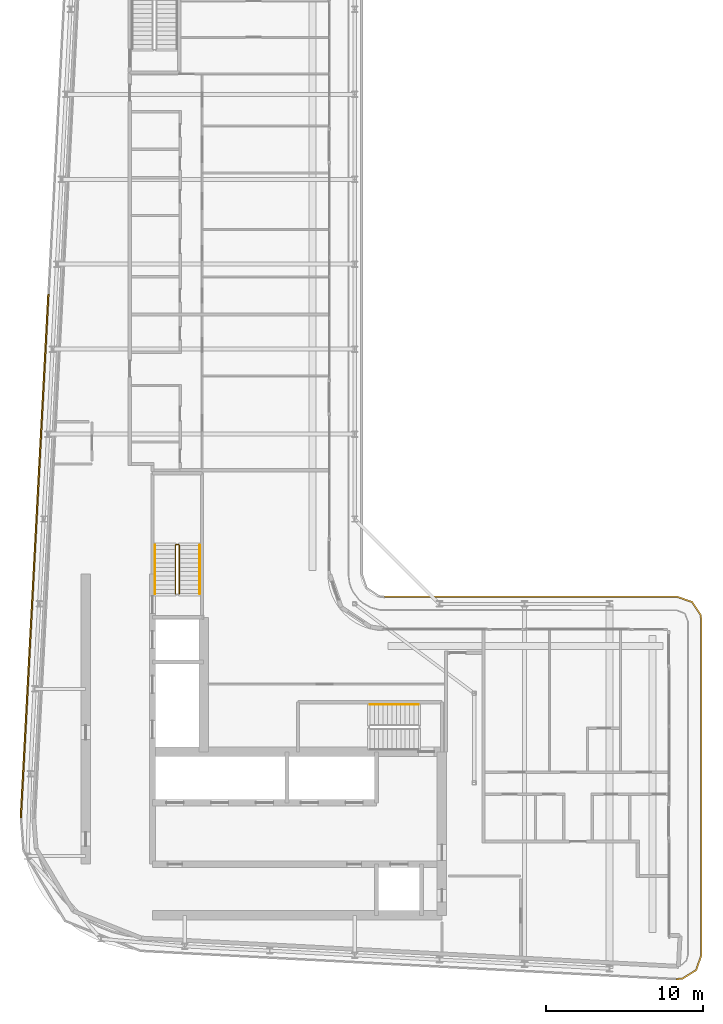
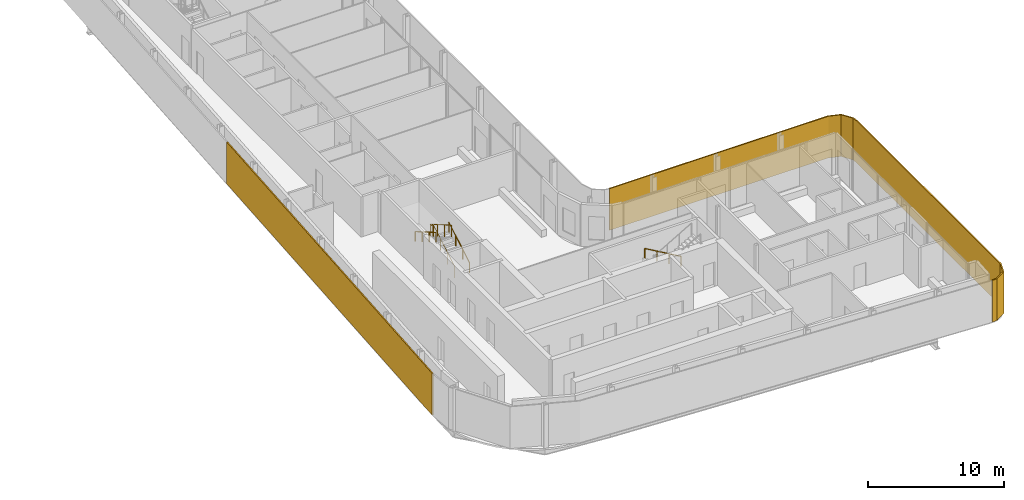
# One storey, part 18 of 21: 4 railings, 2 shading devices.
"""IFC4 building model written with IfcOpenShell, lengths in metres."""

from ifc_helpers import new_model, si_unit, direction, frame, origin, origin_2d, place, context, subcontext, project, spatial, polyline, rectangle, circle, outline, extrude, material, layer, layer_set, type_object, element, save


model = new_model("IFC4")

# Units and contexts
model_context = context("Model", 3, precision=1e-05, world=origin(), true_north=direction((0.0, 1.0)))
body_context = subcontext(model_context, "Body", "Model", "MODEL_VIEW")
ifc_project = project(units=[si_unit("LENGTHUNIT", "METRE"), si_unit("AREAUNIT", "SQUARE_METRE"), si_unit("VOLUMEUNIT", "CUBIC_METRE"), si_unit("PLANEANGLEUNIT", "RADIAN"), si_unit("MASSUNIT", "GRAM", prefix="KILO")], contexts=[model_context])

# Site, building, storey
site_placement = place(None, origin())
site = spatial("IfcSite", under=ifc_project, at=site_placement, CompositionType="ELEMENT")
building_placement = place(site_placement, origin())
building = spatial("IfcBuilding", under=site, at=building_placement, Name="Kheshtan School and Residences Tower", CompositionType="ELEMENT")
storey_placement = place(building_placement, frame((0.0, 0.0, 290.300048828125)))
storey = spatial("IfcBuildingStorey", under=building, at=storey_placement, Name="L68", CompositionType="ELEMENT", Elevation=290.300048828125)

# Shading devices
ifc_material_1 = material(Name="Terracotta baguette, extruded ceramic", Category="masonry")
ifc_layer_1 = layer(ifc_material_1, 0.10009765625)
ifc_layer_set_1 = layer_set([ifc_layer_1], Name="Ledge screen, terracotta baguettes")
shading_device_type_1 = type_object("IfcShadingDeviceType", Name="Ledge screen, terracotta baguettes", PredefinedType="USERDEFINED", material=ifc_layer_set_1)
shading_device_1_placement = place(storey_placement, frame((27.24609375, 48.638916015625, 0.0), z_axis=(0.0, 0.0, 1.0), x_axis=(0.052562536748, 0.998617634398, 0.0)))
element("IfcShadingDevice", 1, at=shading_device_1_placement, inside=storey, type_object=shading_device_type_1, Name="Screen L68 4", ObjectType="BAGUETTE", PredefinedType="USERDEFINED", context=body_context, shape_type="SweptSolid", body=[
    extrude(rectangle(XDim=33.341064453125, YDim=0.10009765625, at=origin_2d()), origin(), (0.0, 0.0, 1.0), 3.75),
])
ifc_material_2 = material(Name="Terracotta lattice, extruded ceramic", Category="masonry")
ifc_layer_2 = layer(ifc_material_2, 0.10009765625)
ifc_layer_set_2 = layer_set([ifc_layer_2], Name="Loggia screen, terracotta lattice")
shading_device_type_2 = type_object("IfcShadingDeviceType", Name="Loggia screen, terracotta lattice", PredefinedType="USERDEFINED", material=ifc_layer_set_2)
shading_device_2_placement = place(storey_placement, origin())
element("IfcShadingDevice", 2, at=shading_device_2_placement, inside=storey, type_object=shading_device_type_2, Name="Screen L68 2", ObjectType="SCREEN", PredefinedType="USERDEFINED", context=body_context, shape_type="SweptSolid", body=[
    extrude(outline(polyline([(49.5, 46.0), (68.10009765625, 46.0), (69.012939453125, 45.68994140625), (69.549072265625, 44.887939453125), (69.60009765625, 44.5), (69.60009765625, 23.285888671875), (69.27001953125, 22.346923828125), (68.424072265625, 21.822021484375), (68.02099609375, 21.7880859375), (68.029052734375, 21.68798828125), (68.4560546875, 21.72412109375), (69.35302734375, 22.281005859375), (69.699951171875, 23.26904296875), (69.699951171875, 44.507080078125), (69.64501953125, 44.924072265625), (69.076904296875, 45.77392578125), (68.116943359375, 46.10009765625), (49.5, 46.10009765625), (49.5, 46.0)])), origin(), (0.0, 0.0, 1.0), 3.75),
])

# Railings
ifc_material_3 = material(Name="Stainless steel balustrade", Category="steel")
railing_type_1 = type_object("IfcRailingType", Name="Stair guard 1100", PredefinedType="GUARDRAIL", material=ifc_material_3)
railing_1_placement = place(storey_placement, frame((36.449951171875, 46.25, 0.162353515625)))
element("IfcRailing", 3, at=railing_1_placement, inside=storey, type_object=railing_type_1, Name="L68 ST2 stair guard 1", PredefinedType="GUARDRAIL", context=body_context, shape_type="SweptSolid", body=[
    extrude(circle(Radius=0.02392578125, at=origin_2d()), frame((0.0, 0.0, 1.076171875), z_axis=(0.0, 0.864890721111, 0.501960198159), x_axis=(-1.0, 0.0, 0.0)), (0.0, 0.0, 1.0), 3.561279296875),
    extrude(circle(Radius=0.02392578125, at=origin_2d()), frame((0.0, 3.080078125, 2.86376953125), z_axis=(-0.708833529934, 0.705375805398, 0.0), x_axis=(-0.705375805398, -0.708833529934, 0.0)), (0.0, 0.0, 1.0), 0.070556640625),
    extrude(circle(Radius=0.02392578125, at=origin_2d()), frame((-0.050048828125, 3.1298828125, 2.86376953125), z_axis=(-1.0, 0.0, 0.0), x_axis=(0.0, -1.0, 0.0)), (0.0, 0.0, 1.0), 0.14990234375),
    extrude(circle(Radius=0.02392578125, at=origin_2d()), frame((-0.199951171875, 3.1298828125, 2.86376953125), z_axis=(-0.282336740067, -0.280959487676, 0.917250092119), x_axis=(0.705375805398, -0.708833529934, 0.0)), (0.0, 0.0, 1.0), 0.17724609375),
    extrude(circle(Radius=0.02392578125, at=origin_2d()), frame((-0.25, 3.080078125, 3.0263671875), z_axis=(0.0, -0.864920483161, 0.501908913857), x_axis=(1.0, 0.0, 0.0)), (0.0, 0.0, 1.0), 3.56103515625),
    extrude(circle(Radius=0.02099609375, at=origin_2d()), origin(), (0.0, 0.0, 1.0), 1.052001953125),
    extrude(circle(Radius=0.02099609375, at=origin_2d()), frame((0.0, 1.026611328125, 0.595947265625)), (0.0, 0.0, 1.0), 1.052001953125),
    extrude(circle(Radius=0.02099609375, at=origin_2d()), frame((0.0, 2.053466796875, 1.191650390625)), (0.0, 0.0, 1.0), 1.052001953125),
    extrude(circle(Radius=0.02099609375, at=origin_2d()), frame((0.0, 3.080078125, 1.78759765625)), (0.0, 0.0, 1.0), 1.052001953125),
    extrude(circle(Radius=0.02099609375, at=origin_2d()), frame((-0.050048828125, 3.1298828125, 1.78759765625)), (0.0, 0.0, 1.0), 1.052001953125),
    extrude(circle(Radius=0.02099609375, at=origin_2d()), frame((-0.199951171875, 3.1298828125, 1.78759765625)), (0.0, 0.0, 1.0), 1.052001953125),
    extrude(circle(Radius=0.02099609375, at=origin_2d()), frame((-0.25, 3.080078125, 1.9501953125)), (0.0, 0.0, 1.0), 1.052001953125),
    extrude(circle(Radius=0.02099609375, at=origin_2d()), frame((-0.25, 2.053466796875, 2.5458984375)), (0.0, 0.0, 1.0), 1.052001953125),
    extrude(circle(Radius=0.02099609375, at=origin_2d()), frame((-0.25, 1.026611328125, 3.141845703125)), (0.0, 0.0, 1.0), 1.052001953125),
    extrude(circle(Radius=0.02099609375, at=origin_2d()), frame((-0.25, 0.0, 3.737548828125)), (0.0, 0.0, 1.0), 1.052001953125),
])
ifc_material_4 = material(Name="Stainless steel handrail", Category="steel")
railing_type_2 = type_object("IfcRailingType", Name="Stair handrail 900", PredefinedType="HANDRAIL", material=ifc_material_4)
railing_2_placement = place(storey_placement, frame((51.64990234375, 39.199951171875, 0.162353515625)))
element("IfcRailing", 4, at=railing_2_placement, inside=storey, type_object=railing_type_2, Name="L68 ST1 stair handrail 1", PredefinedType="HANDRAIL", context=body_context, shape_type="SweptSolid", body=[
    extrude(circle(Radius=0.02392578125, at=origin_2d()), frame((0.0, 0.0, 0.8759765625), z_axis=(-0.864873446163, 0.0, 0.501989962173), x_axis=(0.0, -1.0, 0.0)), (0.0, 0.0, 1.0), 3.56103515625),
    extrude(circle(Radius=0.02099609375, at=origin_2d()), origin(), (0.0, 0.0, 1.0), 0.851806640625),
    extrude(circle(Radius=0.02099609375, at=origin_2d()), frame((-1.026611328125, 0.0, 0.595947265625)), (0.0, 0.0, 1.0), 0.851806640625),
    extrude(circle(Radius=0.02099609375, at=origin_2d()), frame((-2.05322265625, 0.0, 1.191650390625)), (0.0, 0.0, 1.0), 0.851806640625),
    extrude(circle(Radius=0.02099609375, at=origin_2d()), frame((-3.079833984375, 0.0, 1.78759765625)), (0.0, 0.0, 1.0), 0.851806640625),
])
railing_3_placement = place(storey_placement, frame((37.75, 46.25, 0.162353515625)))
element("IfcRailing", 5, at=railing_3_placement, inside=storey, type_object=railing_type_2, Name="L68 ST2 stair handrail 1", PredefinedType="HANDRAIL", context=body_context, shape_type="SweptSolid", body=[
    extrude(circle(Radius=0.02392578125, at=origin_2d()), frame((0.0, 0.0, 0.8759765625), z_axis=(0.0, 0.864890721111, 0.501960198159), x_axis=(-1.0, 0.0, 0.0)), (0.0, 0.0, 1.0), 3.561279296875),
    extrude(circle(Radius=0.02099609375, at=origin_2d()), origin(), (0.0, 0.0, 1.0), 0.851806640625),
    extrude(circle(Radius=0.02099609375, at=origin_2d()), frame((0.0, 1.026611328125, 0.595947265625)), (0.0, 0.0, 1.0), 0.851806640625),
    extrude(circle(Radius=0.02099609375, at=origin_2d()), frame((0.0, 2.053466796875, 1.191650390625)), (0.0, 0.0, 1.0), 0.851806640625),
    extrude(circle(Radius=0.02099609375, at=origin_2d()), frame((0.0, 3.080078125, 1.78759765625)), (0.0, 0.0, 1.0), 0.851806640625),
])
railing_4_placement = place(storey_placement, frame((34.89990234375, 49.330078125, 2.112548828125)))
element("IfcRailing", 6, at=railing_4_placement, inside=storey, type_object=railing_type_2, Name="L68 ST2 stair handrail 2", PredefinedType="HANDRAIL", context=body_context, shape_type="SweptSolid", body=[
    extrude(circle(Radius=0.02392578125, at=origin_2d()), frame((0.0, 0.0, 0.8759765625), z_axis=(0.0, -0.864920483161, 0.501908913857), x_axis=(1.0, 0.0, 0.0)), (0.0, 0.0, 1.0), 3.56103515625),
    extrude(circle(Radius=0.02099609375, at=origin_2d()), origin(), (0.0, 0.0, 1.0), 0.851806640625),
    extrude(circle(Radius=0.02099609375, at=origin_2d()), frame((0.0, -1.026611328125, 0.595703125)), (0.0, 0.0, 1.0), 0.851806640625),
    extrude(circle(Radius=0.02099609375, at=origin_2d()), frame((0.0, -2.053466796875, 1.191650390625)), (0.0, 0.0, 1.0), 0.851806640625),
    extrude(circle(Radius=0.02099609375, at=origin_2d()), frame((0.0, -3.080078125, 1.787353515625)), (0.0, 0.0, 1.0), 0.851806640625),
])

save(model, "model.ifc")
